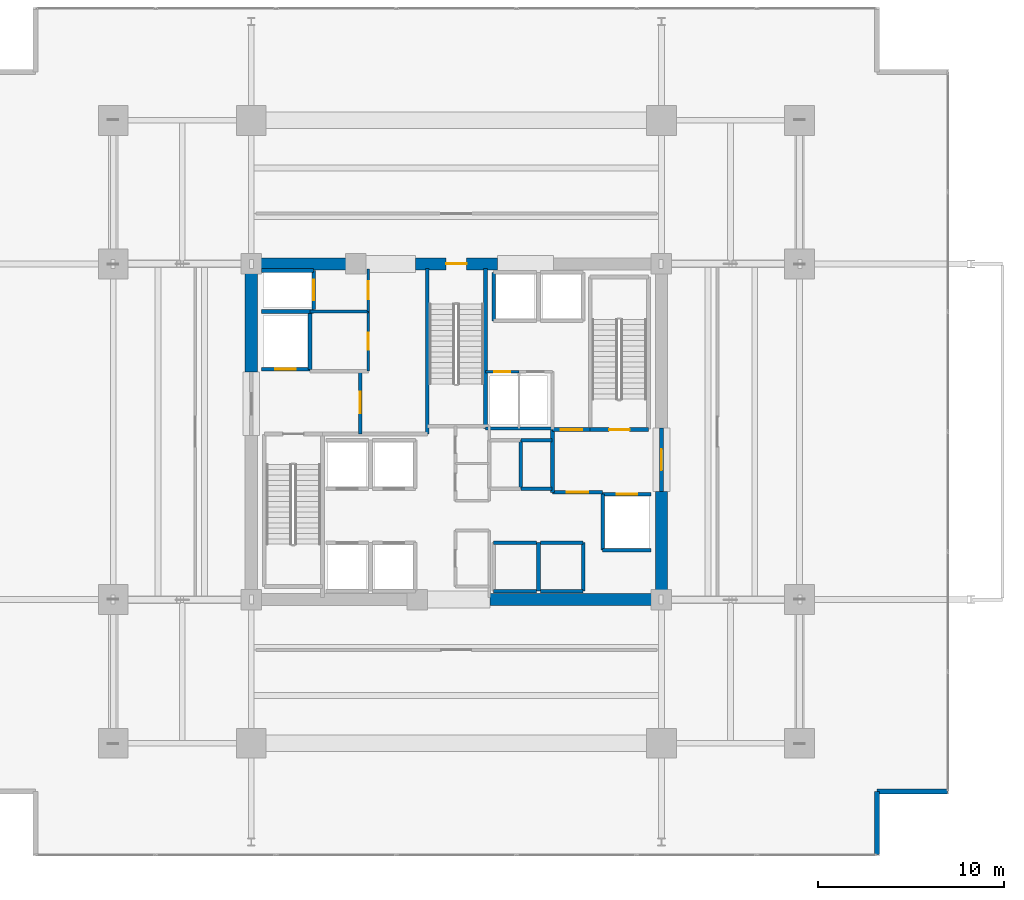
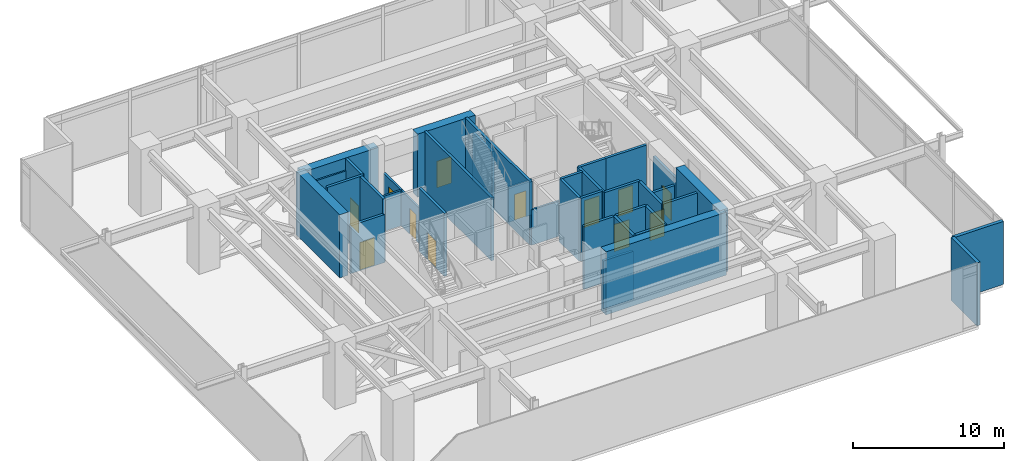
# One storey, part 24 of 26: 38 walls, 12 doors, 12 openings.
"""IFC4 building model written with IfcOpenShell, lengths in metres."""

from ifc_helpers import new_model, si_unit, direction, frame, frame_2d, origin, place, context, subcontext, project, spatial, rectangle, extrude, material, layer, layer_set, type_object, element, fill, save


model = new_model("IFC4")

# Units and contexts
model_context = context("Model", 3, precision=1e-05, world=origin(), true_north=direction((0.0, 1.0)))
body_context = subcontext(model_context, "Body", "Model", "MODEL_VIEW")
ifc_project = project(units=[si_unit("LENGTHUNIT", "METRE"), si_unit("AREAUNIT", "SQUARE_METRE"), si_unit("VOLUMEUNIT", "CUBIC_METRE"), si_unit("PLANEANGLEUNIT", "RADIAN"), si_unit("MASSUNIT", "GRAM", prefix="KILO")], contexts=[model_context])

# Site, building, storey
site_placement = place(None, origin())
site = spatial("IfcSite", under=ifc_project, at=site_placement, CompositionType="ELEMENT")
building_placement = place(site_placement, origin())
building = spatial("IfcBuilding", under=site, at=building_placement, Name="Kovane Verandah Tower", CompositionType="ELEMENT")
storey_placement = place(building_placement, frame((0.0, 0.0, 113.0)))
storey = spatial("IfcBuildingStorey", under=building, at=storey_placement, Name="L26", CompositionType="ELEMENT", Elevation=113.0)

# Wall
ifc_material_1 = material(Name="Fire-Rated Gypsum Stud Partition", Category="gypsum")
ifc_layer_1 = layer(ifc_material_1, 0.14990234375)
ifc_layer_set_1 = layer_set([ifc_layer_1], Name="Fire-Rated Gypsum Stud Partition")
wall_type_1 = type_object("IfcWallType", Name="WL-COR-150", PredefinedType="PARTITIONING", material=ifc_layer_set_1)
wall_1_placement = place(storey_placement, frame((32.14990234375, 33.949951171875, 0.0), z_axis=(0.0, 0.0, 1.0), x_axis=(1.0, 0.0, 0.0)))
element("IfcWall", 1, at=wall_1_placement, inside=storey, type_object=wall_type_1, Name="L26 Goods Lift Lobby South Wall", PredefinedType="PARTITIONING", context=body_context, shape_type="SweptSolid", body=[
    extrude(rectangle(XDim=3.130126953125, YDim=0.14990234375, at=frame_2d((1.56494140625, 0.0))), origin(), (0.0, 0.0, 1.0), 2.85009765625),
])

# Wall, opening, door
wall_2_placement = place(storey_placement, frame((35.280029296875, 33.949951171875, 0.0), z_axis=(0.0, 0.0, 1.0), x_axis=(0.0, 1.0, 0.0)))
wall_2 = element("IfcWall", 2, at=wall_2_placement, inside=storey, type_object=wall_type_1, Name="L26 Goods Lift Lobby East Fire Partition", PredefinedType="PARTITIONING", context=body_context, shape_type="SweptSolid", body=[
    extrude(rectangle(XDim=2.27001953125, YDim=0.14990234375, at=frame_2d((1.135009765625, 0.0))), origin(), (0.0, 0.0, 1.0), 2.85009765625),
])
opening_1_placement = place(wall_2_placement, frame((0.659912109375, 0.0, 0.0)))
opening_1 = element("IfcOpeningElement", 3, at=opening_1_placement, cuts=wall_2, Name="Opening DR-L26-006", PredefinedType="OPENING", context=body_context, shape_type="SweptSolid", body=[
    extrude(rectangle(XDim=0.949951171875, YDim=2.14990234375, at=frame_2d((0.47509765625, 1.074951171875))), frame((0.0, 0.074951171875, 0.0), z_axis=(0.0, -1.0, 0.0), x_axis=(1.0, 0.0, 0.0)), (0.0, 0.0, 1.0), 0.14990234375),
])
ifc_material_2 = material(Name="Fire-Rated Steel Refuge and Lobby Door", Category="steel")
door_type_1 = type_object("IfcDoorType", Name="DR-FIRE-950", OperationType="SINGLE_SWING_LEFT", PredefinedType="DOOR", material=ifc_material_2)
door_1_placement = place(opening_1_placement, origin())
door_1 = element("IfcDoor", 4, at=door_1_placement, inside=storey, type_object=door_type_1, Name="L26 Goods Lift Lobby Fire Door", OperationType="SINGLE_SWING_LEFT", OverallHeight=2.14990234375, OverallWidth=0.949951171875, PredefinedType="DOOR", context=body_context, shape_type="SweptSolid", body=[
    extrude(rectangle(XDim=0.949951171875, YDim=2.14990234375, at=frame_2d((0.47509765625, 1.074951171875))), frame((0.0, 0.02490234375, 0.0), z_axis=(0.0, -1.0, 0.0), x_axis=(1.0, 0.0, 0.0)), (0.0, 0.0, 1.0), 0.050048828125),
])
fill(opening_1, door_1)

wall_3_placement = place(storey_placement, frame((35.280029296875, 30.75, 0.0), z_axis=(0.0, 0.0, 1.0), x_axis=(0.0, 1.0, 0.0)))
wall_3 = element("IfcWall", 5, at=wall_3_placement, inside=storey, type_object=wall_type_1, Name="L26 Accessible Unisex Toilet Partition", PredefinedType="PARTITIONING", context=body_context, shape_type="SweptSolid", body=[
    extrude(rectangle(XDim=3.199951171875, YDim=0.14990234375, at=frame_2d((1.60009765625, 0.0))), origin(), (0.0, 0.0, 1.0), 2.85009765625),
])
opening_2_placement = place(wall_3_placement, frame((1.14990234375, 0.0, 0.0)))
opening_2 = element("IfcOpeningElement", 6, at=opening_2_placement, cuts=wall_3, Name="Opening DR-L26-017", PredefinedType="OPENING", context=body_context, shape_type="SweptSolid", body=[
    extrude(rectangle(XDim=0.89990234375, YDim=2.10009765625, at=frame_2d((0.449951171875, 1.050048828125))), frame((0.0, 0.074951171875, 0.0), z_axis=(0.0, -1.0, 0.0), x_axis=(1.0, 0.0, 0.0)), (0.0, 0.0, 1.0), 0.14990234375),
])
ifc_material_3 = material(Name="Moisture-Resistant Laminate Washroom Door", Category="wood")
door_type_2 = type_object("IfcDoorType", Name="DR-WC-900", OperationType="SINGLE_SWING_LEFT", PredefinedType="DOOR", material=ifc_material_3)
door_2_placement = place(opening_2_placement, origin())
door_2 = element("IfcDoor", 7, at=door_2_placement, inside=storey, type_object=door_type_2, Name="L26 Accessible Unisex Toilet Door", OperationType="SINGLE_SWING_RIGHT", OverallHeight=2.10009765625, OverallWidth=0.89990234375, PredefinedType="DOOR", context=body_context, shape_type="SweptSolid", body=[
    extrude(rectangle(XDim=0.89990234375, YDim=2.10009765625, at=frame_2d((0.449951171875, 1.050048828125))), frame((0.0, 0.02490234375, 0.0), z_axis=(0.0, -1.0, 0.0), x_axis=(1.0, 0.0, 0.0)), (0.0, 0.0, 1.0), 0.050048828125),
])
fill(opening_2, door_2)

# Wall
wall_4_placement = place(storey_placement, frame((41.56005859375, 27.679931640625, 0.0), z_axis=(0.0, 0.0, 1.0), x_axis=(1.0, 0.0, 0.0)))
element("IfcWall", 8, at=wall_4_placement, inside=storey, type_object=wall_type_1, Name="L26 East Core Service Riser South Wall", PredefinedType="PARTITIONING", context=body_context, shape_type="SweptSolid", body=[
    extrude(rectangle(XDim=3.58984375, YDim=0.14990234375, at=frame_2d((1.794921875, 0.0))), origin(), (0.0, 0.0, 1.0), 2.85009765625),
])

# Wall, opening, door
wall_5_placement = place(storey_placement, frame((41.56005859375, 30.719970703125, 0.0), z_axis=(0.0, 0.0, 1.0), x_axis=(1.0, 0.0, 0.0)))
wall_5 = element("IfcWall", 9, at=wall_5_placement, inside=storey, type_object=wall_type_1, Name="L26 Chilled Water Riser Room Partition", PredefinedType="PARTITIONING", context=body_context, shape_type="SweptSolid", body=[
    extrude(rectangle(XDim=1.800048828125, YDim=0.14990234375, at=frame_2d((0.89990234375, 0.0))), origin(), (0.0, 0.0, 1.0), 2.85009765625),
])
opening_3_placement = place(wall_5_placement, frame((0.4599609375, 0.0, 0.0)))
opening_3 = element("IfcOpeningElement", 10, at=opening_3_placement, cuts=wall_5, Name="Opening DR-L26-011", PredefinedType="OPENING", context=body_context, shape_type="SweptSolid", body=[
    extrude(rectangle(XDim=0.8798828125, YDim=2.10009765625, at=frame_2d((0.43994140625, 1.050048828125))), frame((0.0, 0.074951171875, 0.0), z_axis=(0.0, -1.0, 0.0), x_axis=(1.0, 0.0, 0.0)), (0.0, 0.0, 1.0), 0.14990234375),
])
ifc_material_4 = material(Name="Fire-Rated Steel Riser Access Door", Category="steel")
door_type_3 = type_object("IfcDoorType", Name="DR-RISER-880", OperationType="SINGLE_SWING_LEFT", PredefinedType="DOOR", material=ifc_material_4)
door_3_placement = place(opening_3_placement, origin())
door_3 = element("IfcDoor", 11, at=door_3_placement, inside=storey, type_object=door_type_3, Name="L26 Chilled Water Riser Room Door", OperationType="SINGLE_SWING_LEFT", OverallHeight=2.10009765625, OverallWidth=0.8798828125, PredefinedType="DOOR", context=body_context, shape_type="SweptSolid", body=[
    extrude(rectangle(XDim=0.8798828125, YDim=2.10009765625, at=frame_2d((0.43994140625, 1.050048828125))), frame((0.0, 0.02490234375, 0.0), z_axis=(0.0, -1.0, 0.0), x_axis=(1.0, 0.0, 0.0)), (0.0, 0.0, 1.0), 0.050048828125),
])
fill(opening_3, door_3)

# Walls
ifc_material_5 = material(Name="Concrete C80/95", Category="concrete")
ifc_layer_2 = layer(ifc_material_5, 0.64990234375)
ifc_layer_set_2 = layer_set([ifc_layer_2], Name="Concrete C80/95")
wall_type_2 = type_object("IfcWallType", Name="WL-CORE-650", PredefinedType="SHEAR", material=ifc_layer_set_2)
wall_6_placement = place(storey_placement, frame((41.800048828125, 18.5, 0.0), z_axis=(0.0, 0.0, 1.0), x_axis=(1.0, 0.0, 0.0)))
element("IfcWall", 12, at=wall_6_placement, inside=storey, type_object=wall_type_2, Name="L26 Core Shear Wall CS-2", PredefinedType="SHEAR", context=body_context, shape_type="SweptSolid", body=[
    extrude(rectangle(XDim=9.199951171875, YDim=0.64990234375, at=frame_2d((4.60009765625, 0.0))), origin(), (0.0, 0.0, 1.0), 5.10009765625),
])
wall_7_placement = place(storey_placement, frame((29.0, 36.5, 0.0), z_axis=(0.0, 0.0, 1.0), x_axis=(1.0, 0.0, 0.0)))
element("IfcWall", 13, at=wall_7_placement, inside=storey, type_object=wall_type_2, Name="L26 Core Shear Wall CN-1", PredefinedType="SHEAR", context=body_context, shape_type="SweptSolid", body=[
    extrude(rectangle(XDim=5.800048828125, YDim=0.64990234375, at=frame_2d((2.89990234375, 0.0))), origin(), (0.0, 0.0, 1.0), 5.10009765625),
])

# Wall, opening, door
wall_8_placement = place(storey_placement, frame((37.800048828125, 36.5, 0.0), z_axis=(0.0, 0.0, 1.0), x_axis=(1.0, 0.0, 0.0)))
wall_8 = element("IfcWall", 14, at=wall_8_placement, inside=storey, type_object=wall_type_2, Name="L26 Core Shear Wall CN-2", PredefinedType="SHEAR", context=body_context, shape_type="SweptSolid", body=[
    extrude(rectangle(XDim=4.39990234375, YDim=0.64990234375, at=frame_2d((2.199951171875, 0.0))), origin(), (0.0, 0.0, 1.0), 5.10009765625),
])
opening_4_placement = place(wall_8_placement, frame((1.64990234375, 0.0, 0.0)))
opening_4 = element("IfcOpeningElement", 15, at=opening_4_placement, cuts=wall_8, Name="Opening DR-L26-009", PredefinedType="OPENING", context=body_context, shape_type="SweptSolid", body=[
    extrude(rectangle(XDim=1.10009765625, YDim=2.14990234375, at=frame_2d((0.550048828125, 1.074951171875))), frame((0.0, 0.324951171875, 0.0), z_axis=(0.0, -1.0, 0.0), x_axis=(1.0, 0.0, 0.0)), (0.0, 0.0, 1.0), 0.64990234375),
])
ifc_material_6 = material(Name="Fire-Rated Steel Exit Door", Category="steel")
door_type_4 = type_object("IfcDoorType", Name="DR-STAIR-1100", OperationType="SINGLE_SWING_LEFT", PredefinedType="DOOR", material=ifc_material_6)
door_4_placement = place(opening_4_placement, origin())
door_4 = element("IfcDoor", 16, at=door_4_placement, inside=storey, type_object=door_type_4, Name="L26 ST-03 Fire Exit Stair Door", OperationType="SINGLE_SWING_LEFT", OverallHeight=2.14990234375, OverallWidth=1.10009765625, PredefinedType="DOOR", context=body_context, shape_type="SweptSolid", body=[
    extrude(rectangle(XDim=1.10009765625, YDim=2.14990234375, at=frame_2d((0.550048828125, 1.074951171875))), frame((0.0, 0.02490234375, 0.0), z_axis=(0.0, -1.0, 0.0), x_axis=(1.0, 0.0, 0.0)), (0.0, 0.0, 1.0), 0.050048828125),
])
fill(opening_4, door_4)

# Walls
for number, where, z_axis, x_axis, name in (
    (17, (29.0, 30.699951171875, 0.0), (0.0, 0.0, 1.0), (0.0, 1.0, 0.0), "L26 Core Shear Wall CW-2"),
    (18, (51.0, 18.5, 0.0), (0.0, 0.0, 1.0), (0.0, 1.0, 0.0), "L26 Core Shear Wall CE-1"),
):
    element("IfcWall", number, at=place(storey_placement, frame(where, z_axis=z_axis, x_axis=x_axis)), inside=storey, type_object=wall_type_2, Name=name, PredefinedType="SHEAR", context=body_context, shape_type="SweptSolid", body=[
        extrude(rectangle(XDim=5.800048828125, YDim=0.64990234375, at=frame_2d((2.89990234375, 0.0))), origin(), (0.0, 0.0, 1.0), 5.10009765625),
    ])

# Wall, opening, door
ifc_material_7 = material(Name="Concrete C45/55 Fire Wall", Category="concrete")
ifc_layer_3 = layer(ifc_material_7, 0.199951171875)
ifc_layer_set_3 = layer_set([ifc_layer_3], Name="Concrete C45/55 Fire Wall")
wall_type_3 = type_object("IfcWallType", Name="WL-FFL-200", PredefinedType="PARTITIONING", material=ifc_layer_set_3)
wall_9_placement = place(storey_placement, frame((34.85009765625, 27.3798828125, 0.0), z_axis=(0.0, 0.0, 1.0), x_axis=(0.0, 1.0, 0.0)))
wall_9 = element("IfcWall", 19, at=wall_9_placement, inside=storey, type_object=wall_type_3, Name="W-L26-FFLW-E", PredefinedType="PARTITIONING", context=body_context, shape_type="SweptSolid", body=[
    extrude(rectangle(XDim=3.3701171875, YDim=0.199951171875, at=frame_2d((1.68505859375, 0.0))), origin(), (0.0, 0.0, 1.0), 5.10009765625),
])
opening_5_placement = place(wall_9_placement, frame((1.110107421875, 0.0, 0.0)))
opening_5 = element("IfcOpeningElement", 20, at=opening_5_placement, cuts=wall_9, Name="Opening DR-L26-004", PredefinedType="OPENING", context=body_context, shape_type="SweptSolid", body=[
    extrude(rectangle(XDim=1.14990234375, YDim=2.199951171875, at=frame_2d((0.574951171875, 1.10009765625))), frame((0.0, 0.10009765625, 0.0), z_axis=(0.0, -1.0, 0.0), x_axis=(1.0, 0.0, 0.0)), (0.0, 0.0, 1.0), 0.199951171875),
])
ifc_material_8 = material(Name="Smoke-Sealed Firefighting Lobby Door", Category="steel")
door_type_5 = type_object("IfcDoorType", Name="DR-FFL-1150", OperationType="SINGLE_SWING_LEFT", PredefinedType="DOOR", material=ifc_material_8)
door_5_placement = place(opening_5_placement, origin())
door_5 = element("IfcDoor", 21, at=door_5_placement, inside=storey, type_object=door_type_5, Name="L26 West Firefighting Lobby Inner Door", OperationType="SINGLE_SWING_LEFT", OverallHeight=2.199951171875, OverallWidth=1.14990234375, PredefinedType="DOOR", context=body_context, shape_type="SweptSolid", body=[
    extrude(rectangle(XDim=1.14990234375, YDim=2.199951171875, at=frame_2d((0.574951171875, 1.10009765625))), frame((0.0, 0.02490234375, 0.0), z_axis=(0.0, -1.0, 0.0), x_axis=(1.0, 0.0, 0.0)), (0.0, 0.0, 1.0), 0.050048828125),
])
fill(opening_5, door_5)

# Wall
wall_10_placement = place(storey_placement, frame((45.14990234375, 24.25, 0.0), z_axis=(0.0, 0.0, 1.0), x_axis=(0.0, 1.0, 0.0)))
element("IfcWall", 22, at=wall_10_placement, inside=storey, type_object=wall_type_3, Name="L26 East Firefighting Lobby West Fire Wall", PredefinedType="PARTITIONING", context=body_context, shape_type="SweptSolid", body=[
    extrude(rectangle(XDim=3.3701171875, YDim=0.199951171875, at=frame_2d((1.68505859375, 0.0))), origin(), (0.0, 0.0, 1.0), 5.10009765625),
])

# Wall, opening, door
wall_11_placement = place(storey_placement, frame((45.14990234375, 24.25, 0.0), z_axis=(0.0, 0.0, 1.0), x_axis=(1.0, 0.0, 0.0)))
wall_11 = element("IfcWall", 23, at=wall_11_placement, inside=storey, type_object=wall_type_3, Name="W-L26-FFLE-S", PredefinedType="PARTITIONING", context=body_context, shape_type="SweptSolid", body=[
    extrude(rectangle(XDim=2.7001953125, YDim=0.199951171875, at=frame_2d((1.35009765625, 0.0))), origin(), (0.0, 0.0, 1.0), 5.10009765625),
])
opening_6_placement = place(wall_11_placement, frame((0.77490234375, 0.0, 0.0)))
opening_6 = element("IfcOpeningElement", 24, at=opening_6_placement, cuts=wall_11, Name="Opening DR-L26-001", PredefinedType="OPENING", context=body_context, shape_type="SweptSolid", body=[
    extrude(rectangle(XDim=1.14990234375, YDim=2.199951171875, at=frame_2d((0.574951171875, 1.10009765625))), frame((0.0, 0.10009765625, 0.0), z_axis=(0.0, -1.0, 0.0), x_axis=(1.0, 0.0, 0.0)), (0.0, 0.0, 1.0), 0.199951171875),
])
door_6_placement = place(opening_6_placement, origin())
door_6 = element("IfcDoor", 25, at=door_6_placement, inside=storey, type_object=door_type_5, Name="L26 East Firefighting Lobby Inner Door", OperationType="SINGLE_SWING_RIGHT", OverallHeight=2.199951171875, OverallWidth=1.14990234375, PredefinedType="DOOR", context=body_context, shape_type="SweptSolid", body=[
    extrude(rectangle(XDim=1.14990234375, YDim=2.199951171875, at=frame_2d((0.574951171875, 1.10009765625))), frame((0.0, 0.02490234375, 0.0), z_axis=(0.0, -1.0, 0.0), x_axis=(1.0, 0.0, 0.0)), (0.0, 0.0, 1.0), 0.050048828125),
])
fill(opening_6, door_6)

wall_12_placement = place(storey_placement, frame((45.14990234375, 27.6201171875, 0.0), z_axis=(0.0, 0.0, 1.0), x_axis=(1.0, 0.0, 0.0)))
wall_12 = element("IfcWall", 26, at=wall_12_placement, inside=storey, type_object=wall_type_3, Name="W-L26-FFLE-N", PredefinedType="PARTITIONING", context=body_context, shape_type="SweptSolid", body=[
    extrude(rectangle(XDim=2.030029296875, YDim=0.199951171875, at=frame_2d((1.01513671875, 0.0))), origin(), (0.0, 0.0, 1.0), 5.10009765625),
])
opening_7_placement = place(wall_12_placement, frame((0.43994140625, 0.0, 0.0)))
opening_7 = element("IfcOpeningElement", 27, at=opening_7_placement, cuts=wall_12, Name="Opening DR-L26-002", PredefinedType="OPENING", context=body_context, shape_type="SweptSolid", body=[
    extrude(rectangle(XDim=1.14990234375, YDim=2.199951171875, at=frame_2d((0.574951171875, 1.10009765625))), frame((0.0, 0.10009765625, 0.0), z_axis=(0.0, -1.0, 0.0), x_axis=(1.0, 0.0, 0.0)), (0.0, 0.0, 1.0), 0.199951171875),
])
door_7_placement = place(opening_7_placement, origin())
door_7 = element("IfcDoor", 28, at=door_7_placement, inside=storey, type_object=door_type_5, Name="L26 East Firefighting Lobby Shuttle Link Door", OperationType="SINGLE_SWING_LEFT", OverallHeight=2.199951171875, OverallWidth=1.14990234375, PredefinedType="DOOR", context=body_context, shape_type="SweptSolid", body=[
    extrude(rectangle(XDim=1.14990234375, YDim=2.199951171875, at=frame_2d((0.574951171875, 1.10009765625))), frame((0.0, 0.02490234375, 0.0), z_axis=(0.0, -1.0, 0.0), x_axis=(1.0, 0.0, 0.0)), (0.0, 0.0, 1.0), 0.050048828125),
])
fill(opening_7, door_7)

wall_13_placement = place(storey_placement, frame((51.0, 24.300048828125, 0.0), z_axis=(0.0, 0.0, 1.0), x_axis=(0.0, 1.0, 0.0)))
wall_13 = element("IfcWall", 29, at=wall_13_placement, inside=storey, type_object=wall_type_3, Name="W-L26-FFLE-OUT", PredefinedType="PARTITIONING", context=body_context, shape_type="SweptSolid", body=[
    extrude(rectangle(XDim=3.39990234375, YDim=0.199951171875, at=frame_2d((1.699951171875, 0.0))), origin(), (0.0, 0.0, 1.0), 3.8798828125),
])
opening_8_placement = place(wall_13_placement, frame((1.125, 0.0, 0.0)))
opening_8 = element("IfcOpeningElement", 30, at=opening_8_placement, cuts=wall_13, Name="Opening DR-L26-003", PredefinedType="OPENING", context=body_context, shape_type="SweptSolid", body=[
    extrude(rectangle(XDim=1.14990234375, YDim=2.199951171875, at=frame_2d((0.574951171875, 1.10009765625))), frame((0.0, 0.10009765625, 0.0), z_axis=(0.0, -1.0, 0.0), x_axis=(1.0, 0.0, 0.0)), (0.0, 0.0, 1.0), 0.199951171875),
])
door_8_placement = place(opening_8_placement, origin())
door_8 = element("IfcDoor", 31, at=door_8_placement, inside=storey, type_object=door_type_5, Name="L26 East Firefighting Lobby Corridor Door", OperationType="SINGLE_SWING_LEFT", OverallHeight=2.199951171875, OverallWidth=1.14990234375, PredefinedType="DOOR", context=body_context, shape_type="SweptSolid", body=[
    extrude(rectangle(XDim=1.14990234375, YDim=2.199951171875, at=frame_2d((0.574951171875, 1.10009765625))), frame((0.0, 0.02490234375, 0.0), z_axis=(0.0, -1.0, 0.0), x_axis=(1.0, 0.0, 0.0)), (0.0, 0.0, 1.0), 0.050048828125),
])
fill(opening_8, door_8)

ifc_material_9 = material(Name="Concrete C45/55 Lift Shaft Wall", Category="concrete")
ifc_layer_4 = layer(ifc_material_9, 0.199951171875)
ifc_layer_set_4 = layer_set([ifc_layer_4], Name="Concrete C45/55 Lift Shaft Wall")
wall_type_4 = type_object("IfcWallType", Name="WL-LIFT-200", PredefinedType="SOLIDWALL", material=ifc_layer_set_4)
wall_14_placement = place(storey_placement, frame((29.550048828125, 30.85009765625, 0.0), z_axis=(0.0, 0.0, 1.0), x_axis=(1.0, 0.0, 0.0)))
wall_14 = element("IfcWall", 32, at=wall_14_placement, inside=storey, type_object=wall_type_4, Name="L26 Lift FL-01 S Shaft Wall", PredefinedType="SOLIDWALL", context=body_context, shape_type="SweptSolid", body=[
    extrude(rectangle(XDim=2.599853515625, YDim=0.199951171875, at=frame_2d((1.2998046875, 0.0))), origin(), (0.0, 0.0, 1.0), 3.8798828125),
])
opening_9_placement = place(wall_14_placement, frame((0.75, 0.0, 0.0)))
opening_9 = element("IfcOpeningElement", 33, at=opening_9_placement, cuts=wall_14, Name="Opening LD-L26-001", PredefinedType="OPENING", context=body_context, shape_type="SweptSolid", body=[
    extrude(rectangle(XDim=1.10009765625, YDim=2.199951171875, at=frame_2d((0.550048828125, 1.10009765625))), frame((0.0, 0.10009765625, 0.0), z_axis=(0.0, -1.0, 0.0), x_axis=(1.0, 0.0, 0.0)), (0.0, 0.0, 1.0), 0.199951171875),
])
ifc_material_10 = material(Name="Brushed Stainless Steel Sliding Lift Landing Door", Category="steel")
door_type_6 = type_object("IfcDoorType", Name="DR-LIFT-1100", OperationType="SLIDING_TO_RIGHT", PredefinedType="DOOR", material=ifc_material_10)
door_9_placement = place(opening_9_placement, origin())
door_9 = element("IfcDoor", 34, at=door_9_placement, inside=storey, type_object=door_type_6, Name="L26 Lift FL-01 Sliding Landing Door", OperationType="SLIDING_TO_RIGHT", OverallHeight=2.199951171875, OverallWidth=1.10009765625, PredefinedType="DOOR", context=body_context, shape_type="SweptSolid", body=[
    extrude(rectangle(XDim=1.10009765625, YDim=2.199951171875, at=frame_2d((0.550048828125, 1.10009765625))), frame((0.0, 0.02490234375, 0.0), z_axis=(0.0, -1.0, 0.0), x_axis=(1.0, 0.0, 0.0)), (0.0, 0.0, 1.0), 0.050048828125),
])
fill(opening_9, door_9)

# Walls
wall_15_placement = place(storey_placement, frame((29.550048828125, 33.949951171875, 0.0), z_axis=(0.0, 0.0, 1.0), x_axis=(1.0, 0.0, 0.0)))
element("IfcWall", 35, at=wall_15_placement, inside=storey, type_object=wall_type_4, Name="L26 Lift FL-01 and GL-01 Shared Shaft Wall", PredefinedType="SOLIDWALL", context=body_context, shape_type="SweptSolid", body=[
    extrude(rectangle(XDim=2.800048828125, YDim=0.199951171875, at=frame_2d((1.39990234375, 0.0))), origin(), (0.0, 0.0, 1.0), 5.10009765625),
])
wall_16_placement = place(storey_placement, frame((32.14990234375, 30.85009765625, 0.0), z_axis=(0.0, 0.0, 1.0), x_axis=(0.0, 1.0, 0.0)))
element("IfcWall", 36, at=wall_16_placement, inside=storey, type_object=wall_type_4, Name="L26 Lift FL-01 E Shaft Wall", PredefinedType="SOLIDWALL", context=body_context, shape_type="SweptSolid", body=[
    extrude(rectangle(XDim=3.0, YDim=0.199951171875, at=frame_2d((1.5, 0.0))), origin(), (0.0, 0.0, 1.0), 5.10009765625),
])
wall_17_placement = place(storey_placement, frame((47.85009765625, 21.14990234375, 0.0), z_axis=(0.0, 0.0, 1.0), x_axis=(1.0, 0.0, 0.0)))
element("IfcWall", 37, at=wall_17_placement, inside=storey, type_object=wall_type_4, Name="L26 Lift FL-02 S Shaft Wall", PredefinedType="SOLIDWALL", context=body_context, shape_type="SweptSolid", body=[
    extrude(rectangle(XDim=2.599853515625, YDim=0.199951171875, at=frame_2d((1.2998046875, 0.0))), origin(), (0.0, 0.0, 1.0), 5.10009765625),
])

# Wall, opening, door
wall_18_placement = place(storey_placement, frame((50.449951171875, 24.14990234375, 0.0), z_axis=(0.0, 0.0, 1.0), x_axis=(-1.0, 0.0, 0.0)))
wall_18 = element("IfcWall", 38, at=wall_18_placement, inside=storey, type_object=wall_type_4, Name="L26 Lift FL-02 N Shaft Wall", PredefinedType="SOLIDWALL", context=body_context, shape_type="SweptSolid", body=[
    extrude(rectangle(XDim=2.599853515625, YDim=0.199951171875, at=frame_2d((1.2998046875, 0.0))), origin(), (0.0, 0.0, 1.0), 3.8798828125),
])
opening_10_placement = place(wall_18_placement, frame((0.75, 0.0, 0.0)))
opening_10 = element("IfcOpeningElement", 39, at=opening_10_placement, cuts=wall_18, Name="Opening LD-L26-002", PredefinedType="OPENING", context=body_context, shape_type="SweptSolid", body=[
    extrude(rectangle(XDim=1.10009765625, YDim=2.199951171875, at=frame_2d((0.550048828125, 1.10009765625))), frame((0.0, 0.10009765625, 0.0), z_axis=(0.0, -1.0, 0.0), x_axis=(1.0, 0.0, 0.0)), (0.0, 0.0, 1.0), 0.199951171875),
])
door_10_placement = place(opening_10_placement, origin())
door_10 = element("IfcDoor", 40, at=door_10_placement, inside=storey, type_object=door_type_6, Name="L26 Lift FL-02 Sliding Landing Door", OperationType="SLIDING_TO_RIGHT", OverallHeight=2.199951171875, OverallWidth=1.10009765625, PredefinedType="DOOR", context=body_context, shape_type="SweptSolid", body=[
    extrude(rectangle(XDim=1.10009765625, YDim=2.199951171875, at=frame_2d((0.550048828125, 1.10009765625))), frame((0.0, 0.02490234375, 0.0), z_axis=(0.0, -1.0, 0.0), x_axis=(1.0, 0.0, 0.0)), (0.0, 0.0, 1.0), 0.050048828125),
])
fill(opening_10, door_10)

# Walls
wall_19_placement = place(storey_placement, frame((47.85009765625, 24.14990234375, 0.0), z_axis=(0.0, 0.0, 1.0), x_axis=(0.0, -1.0, 0.0)))
element("IfcWall", 41, at=wall_19_placement, inside=storey, type_object=wall_type_4, Name="L26 Lift FL-02 W Shaft Wall", PredefinedType="SOLIDWALL", context=body_context, shape_type="SweptSolid", body=[
    extrude(rectangle(XDim=3.0, YDim=0.199951171875, at=frame_2d((1.5, 0.0))), origin(), (0.0, 0.0, 1.0), 5.10009765625),
])
wall_20_placement = place(storey_placement, frame((32.35009765625, 36.14990234375, 0.0), z_axis=(0.0, 0.0, 1.0), x_axis=(-1.0, 0.0, 0.0)))
element("IfcWall", 42, at=wall_20_placement, inside=storey, type_object=wall_type_4, Name="L26 Lift GL-01 N Shaft Wall", PredefinedType="SOLIDWALL", context=body_context, shape_type="SweptSolid", body=[
    extrude(rectangle(XDim=2.800048828125, YDim=0.199951171875, at=frame_2d((1.39990234375, 0.0))), origin(), (0.0, 0.0, 1.0), 4.1533203125),
])

# Wall, opening, door
wall_21_placement = place(storey_placement, frame((32.35009765625, 34.050048828125, 0.0), z_axis=(0.0, 0.0, 1.0), x_axis=(0.0, 1.0, 0.0)))
wall_21 = element("IfcWall", 43, at=wall_21_placement, inside=storey, type_object=wall_type_4, Name="L26 Lift GL-01 E Shaft Wall", PredefinedType="SOLIDWALL", context=body_context, shape_type="SweptSolid", body=[
    extrude(rectangle(XDim=2.099853515625, YDim=0.199951171875, at=frame_2d((1.0498046875, 0.0))), origin(), (0.0, 0.0, 1.0), 5.10009765625),
])
opening_11_placement = place(wall_21_placement, frame((0.5, 0.0, 0.0)))
opening_11 = element("IfcOpeningElement", 44, at=opening_11_placement, cuts=wall_21, Name="Opening LD-L26-003", PredefinedType="OPENING", context=body_context, shape_type="SweptSolid", body=[
    extrude(rectangle(XDim=1.10009765625, YDim=2.199951171875, at=frame_2d((0.550048828125, 1.10009765625))), frame((0.0, 0.10009765625, 0.0), z_axis=(0.0, -1.0, 0.0), x_axis=(1.0, 0.0, 0.0)), (0.0, 0.0, 1.0), 0.199951171875),
])
door_11_placement = place(opening_11_placement, origin())
door_11 = element("IfcDoor", 45, at=door_11_placement, inside=storey, type_object=door_type_6, Name="L26 Lift GL-01 Sliding Landing Door", OperationType="SLIDING_TO_RIGHT", OverallHeight=2.199951171875, OverallWidth=1.10009765625, PredefinedType="DOOR", context=body_context, shape_type="SweptSolid", body=[
    extrude(rectangle(XDim=1.10009765625, YDim=2.199951171875, at=frame_2d((0.550048828125, 1.10009765625))), frame((0.0, 0.02490234375, 0.0), z_axis=(0.0, -1.0, 0.0), x_axis=(1.0, 0.0, 0.0)), (0.0, 0.0, 1.0), 0.050048828125),
])
fill(opening_11, door_11)

# Walls
wall_22_placement = place(storey_placement, frame((42.0, 18.949951171875, 0.0), z_axis=(0.0, 0.0, 1.0), x_axis=(1.0, 0.0, 0.0)))
element("IfcWall", 46, at=wall_22_placement, inside=storey, type_object=wall_type_4, Name="L26 Lift PL-M1 S Shaft Wall", PredefinedType="SOLIDWALL", context=body_context, shape_type="SweptSolid", body=[
    extrude(rectangle(XDim=2.300048828125, YDim=0.199951171875, at=frame_2d((1.14990234375, 0.0))), origin(), (0.0, 0.0, 1.0), 3.8798828125),
])
wall_23_placement = place(storey_placement, frame((44.300048828125, 21.550048828125, 0.0), z_axis=(0.0, 0.0, 1.0), x_axis=(-1.0, 0.0, 0.0)))
element("IfcWall", 47, at=wall_23_placement, inside=storey, type_object=wall_type_4, Name="L26 Lift PL-M1 N Shaft Wall", PredefinedType="SOLIDWALL", context=body_context, shape_type="SweptSolid", body=[
    extrude(rectangle(XDim=2.300048828125, YDim=0.199951171875, at=frame_2d((1.14990234375, 0.0))), origin(), (0.0, 0.0, 1.0), 5.10009765625),
])
wall_24_placement = place(storey_placement, frame((44.39990234375, 18.949951171875, 0.0), z_axis=(0.0, 0.0, 1.0), x_axis=(0.0, 1.0, 0.0)))
element("IfcWall", 48, at=wall_24_placement, inside=storey, type_object=wall_type_4, Name="L26 Lift PL-M1 and PL-M2 Shared Shaft Wall", PredefinedType="SOLIDWALL", context=body_context, shape_type="SweptSolid", body=[
    extrude(rectangle(XDim=2.60009765625, YDim=0.199951171875, at=frame_2d((1.300048828125, 0.0))), origin(), (0.0, 0.0, 1.0), 5.10009765625),
])
for number, where, z_axis, x_axis, name in (
    (49, (44.5, 18.949951171875, 0.0), (0.0, 0.0, 1.0), (1.0, 0.0, 0.0), "L26 Lift PL-M2 S Shaft Wall"),
    (50, (46.800048828125, 21.550048828125, 0.0), (0.0, 0.0, 1.0), (-1.0, 0.0, 0.0), "L26 Lift PL-M2 N Shaft Wall"),
):
    element("IfcWall", number, at=place(storey_placement, frame(where, z_axis=z_axis, x_axis=x_axis)), inside=storey, type_object=wall_type_4, Name=name, PredefinedType="SOLIDWALL", context=body_context, shape_type="SweptSolid", body=[
        extrude(rectangle(XDim=2.300048828125, YDim=0.199951171875, at=frame_2d((1.14990234375, 0.0))), origin(), (0.0, 0.0, 1.0), 5.10009765625),
    ])
for number, where, z_axis, x_axis, name in (
    (51, (46.800048828125, 18.949951171875, 0.0), (0.0, 0.0, 1.0), (0.0, 1.0, 0.0), "L26 Lift PL-M2 E Shaft Wall"),
    (52, (43.449951171875, 24.449951171875, 0.0), (0.0, 0.0, 1.0), (0.0, 1.0, 0.0), "L26 Lift PL-M3 and PL-M4 Shared Shaft Wall"),
):
    element("IfcWall", number, at=place(storey_placement, frame(where, z_axis=z_axis, x_axis=x_axis)), inside=storey, type_object=wall_type_4, Name=name, PredefinedType="SOLIDWALL", context=body_context, shape_type="SweptSolid", body=[
        extrude(rectangle(XDim=2.60009765625, YDim=0.199951171875, at=frame_2d((1.300048828125, 0.0))), origin(), (0.0, 0.0, 1.0), 5.10009765625),
    ])
for number, where, z_axis, x_axis, name in (
    (53, (43.4599609375, 24.449951171875, 0.0), (0.0, 0.0, 1.0), (1.0, 0.0, 0.0), "L26 Lift PL-M4 S Shaft Wall"),
    (54, (45.1201171875, 27.050048828125, 0.0), (0.0, 0.0, 1.0), (-1.0, 0.0, 0.0), "L26 Lift PL-M4 N Shaft Wall"),
):
    element("IfcWall", number, at=place(storey_placement, frame(where, z_axis=z_axis, x_axis=x_axis)), inside=storey, type_object=wall_type_4, Name=name, PredefinedType="SOLIDWALL", context=body_context, shape_type="SweptSolid", body=[
        extrude(rectangle(XDim=1.66015625, YDim=0.199951171875, at=frame_2d((0.830078125, 0.0))), origin(), (0.0, 0.0, 1.0), 5.10009765625),
    ])
wall_25_placement = place(storey_placement, frame((42.0, 36.050048828125, 0.0), z_axis=(0.0, 0.0, 1.0), x_axis=(0.0, -1.0, 0.0)))
element("IfcWall", 55, at=wall_25_placement, inside=storey, type_object=wall_type_4, Name="L26 Lift SL-01 W Shaft Wall", PredefinedType="SOLIDWALL", context=body_context, shape_type="SweptSolid", body=[
    extrude(rectangle(XDim=2.60009765625, YDim=0.199951171875, at=frame_2d((1.300048828125, 0.0))), origin(), (0.0, 0.0, 1.0), 3.8798828125),
])

# Wall, opening, door
ifc_material_11 = material(Name="Concrete C45/55", Category="concrete")
ifc_layer_5 = layer(ifc_material_11, 0.199951171875)
ifc_layer_set_5 = layer_set([ifc_layer_5], Name="Concrete C45/55")
wall_type_5 = type_object("IfcWallType", Name="WL-SHAFT-200", PredefinedType="SOLIDWALL", material=ifc_layer_set_5)
wall_26_placement = place(storey_placement, frame((47.179931640625, 27.6201171875, 0.0), z_axis=(0.0, 0.0, 1.0), x_axis=(1.0, 0.0, 0.0)))
wall_26 = element("IfcWall", 56, at=wall_26_placement, inside=storey, type_object=wall_type_5, Name="W-L26-ST02-S", PredefinedType="SOLIDWALL", context=body_context, shape_type="SweptSolid", body=[
    extrude(rectangle(XDim=3.1201171875, YDim=0.199951171875, at=frame_2d((1.56005859375, 0.0))), origin(), (0.0, 0.0, 1.0), 5.10009765625),
])
opening_12_placement = place(wall_26_placement, frame((1.010009765625, 0.0, 0.0)))
opening_12 = element("IfcOpeningElement", 57, at=opening_12_placement, cuts=wall_26, Name="Opening DR-L26-008", PredefinedType="OPENING", context=body_context, shape_type="SweptSolid", body=[
    extrude(rectangle(XDim=1.10009765625, YDim=2.14990234375, at=frame_2d((0.550048828125, 1.074951171875))), frame((0.0, 0.10009765625, 0.0), z_axis=(0.0, -1.0, 0.0), x_axis=(1.0, 0.0, 0.0)), (0.0, 0.0, 1.0), 0.199951171875),
])
door_12_placement = place(opening_12_placement, origin())
door_12 = element("IfcDoor", 58, at=door_12_placement, inside=storey, type_object=door_type_4, Name="L26 ST-02 Fire Exit Stair Door", OperationType="SINGLE_SWING_RIGHT", OverallHeight=2.14990234375, OverallWidth=1.10009765625, PredefinedType="DOOR", context=body_context, shape_type="SweptSolid", body=[
    extrude(rectangle(XDim=1.10009765625, YDim=2.14990234375, at=frame_2d((0.550048828125, 1.074951171875))), frame((0.0, 0.02490234375, 0.0), z_axis=(0.0, -1.0, 0.0), x_axis=(1.0, 0.0, 0.0)), (0.0, 0.0, 1.0), 0.050048828125),
])
fill(opening_12, door_12)

# Walls
wall_27_placement = place(storey_placement, frame((38.43994140625, 27.3798828125, 0.0), z_axis=(0.0, 0.0, 1.0), x_axis=(0.0, 1.0, 0.0)))
element("IfcWall", 59, at=wall_27_placement, inside=storey, type_object=wall_type_5, Name="W-L26-ST03-W", PredefinedType="SOLIDWALL", context=body_context, shape_type="SweptSolid", body=[
    extrude(rectangle(XDim=8.8701171875, YDim=0.199951171875, at=frame_2d((4.43505859375, 0.0))), origin(), (0.0, 0.0, 1.0), 5.10009765625),
])
wall_28_placement = place(storey_placement, frame((41.56005859375, 27.679931640625, 0.0), z_axis=(0.0, 0.0, 1.0), x_axis=(0.0, 1.0, 0.0)))
element("IfcWall", 60, at=wall_28_placement, inside=storey, type_object=wall_type_5, Name="W-L26-ST03-E", PredefinedType="SOLIDWALL", context=body_context, shape_type="SweptSolid", body=[
    extrude(rectangle(XDim=8.570068359375, YDim=0.199951171875, at=frame_2d((4.28515625, 0.0))), origin(), (0.0, 0.0, 1.0), 5.10009765625),
])
ifc_material_12 = material(Name="Concrete C45/55 Insulated Spandrel Wall", Category="concrete")
ifc_layer_6 = layer(ifc_material_12, 0.260009765625)
ifc_layer_set_6 = layer_set([ifc_layer_6], Name="Concrete C45/55 Insulated Spandrel Wall")
wall_type_6 = type_object("IfcWallType", Name="WL-SPANDREL-260", PredefinedType="PARAPET", material=ifc_layer_set_6)
wall_29_placement = place(storey_placement, frame((62.564208984375, 4.80517578125, 0.0), z_axis=(0.0, 0.0, 1.0), x_axis=(0.0, 1.0, 0.0)))
element("IfcWall", 61, at=wall_29_placement, inside=storey, type_object=wall_type_6, Name="L26 SE Notch Cheek Wall 1", PredefinedType="PARAPET", context=body_context, shape_type="SweptSolid", body=[
    extrude(rectangle(XDim=3.39990234375, YDim=0.260009765625, at=frame_2d((1.699951171875, 0.0))), origin(), (0.0, 0.0, 1.0), 5.10009765625),
])
wall_30_placement = place(storey_placement, frame((62.564208984375, 8.205078125, 0.0), z_axis=(0.0, 0.0, 1.0), x_axis=(1.0, 0.0, 0.0)))
element("IfcWall", 62, at=wall_30_placement, inside=storey, type_object=wall_type_6, Name="L26 SE Notch Cheek Wall 2", PredefinedType="PARAPET", context=body_context, shape_type="SweptSolid", body=[
    extrude(rectangle(XDim=3.7998046875, YDim=0.260009765625, at=frame_2d((1.89990234375, 0.0))), origin(), (0.0, 0.0, 1.0), 5.10009765625),
])

save(model, "model.ifc")
